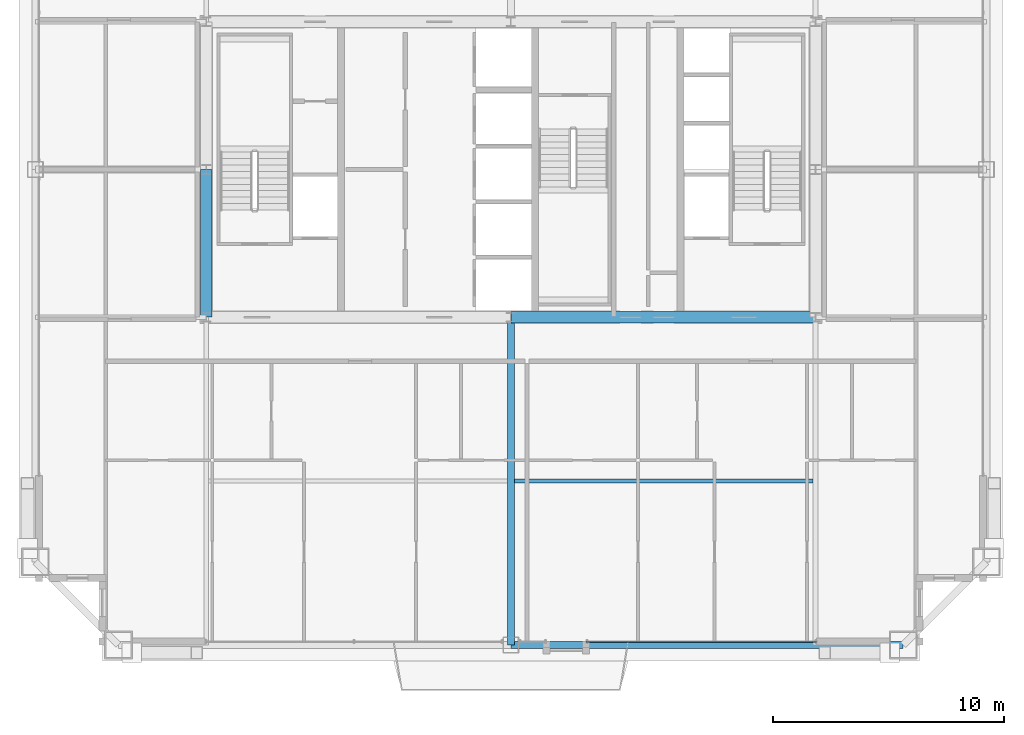
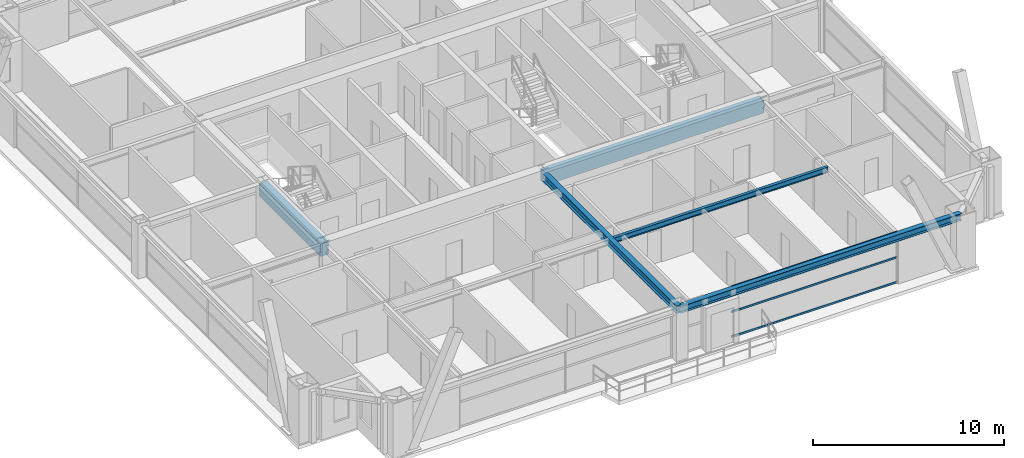
# One storey, part 11 of 35: 5 beams, 3 members, 1 element without a shape of its own.
"""IFC4 building model written with IfcOpenShell, lengths in metres."""

from ifc_helpers import new_model, si_unit, direction, frame, origin, origin_2d, place, context, subcontext, project, spatial, rectangle, hollow_rectangle, i_section, extrude, source, transform, mapped, material, layer, layer_set, material_profile, profile_set, type_object, element, aggregate, save


model = new_model("IFC4")

# Units and contexts
model_context = context("Model", 3, precision=1e-05, world=origin(), true_north=direction((0.0, 1.0)))
body_context = subcontext(model_context, "Body", "Model", "MODEL_VIEW")
ifc_project = project(units=[si_unit("LENGTHUNIT", "METRE"), si_unit("AREAUNIT", "SQUARE_METRE"), si_unit("VOLUMEUNIT", "CUBIC_METRE"), si_unit("PLANEANGLEUNIT", "RADIAN"), si_unit("MASSUNIT", "GRAM", prefix="KILO"), si_unit("THERMODYNAMICTEMPERATUREUNIT", "KELVIN"), si_unit("POWERUNIT", "WATT")], contexts=[model_context])

# Site, building, storey
site_placement = place(None, origin())
site = spatial("IfcSite", under=ifc_project, at=site_placement, CompositionType="ELEMENT")
building_placement = place(site_placement, origin())
building = spatial("IfcBuilding", under=site, at=building_placement, Name="Yuzanri Waterfront Tower", CompositionType="ELEMENT")
storey_placement = place(building_placement, frame((0.0, 0.0, 227.60009765625)))
storey = spatial("IfcBuildingStorey", under=building, at=storey_placement, Name="L60", CompositionType="ELEMENT", Elevation=227.60009765625)

# Beams
ifc_material_1 = material(Name="Concrete C50", Category="concrete")
ifc_material_profile_1 = material_profile(ifc_material_1, rectangle(XDim=0.5, YDim=0.800048828125, at=origin_2d()), Name="RC 500x800")
ifc_profile_set_1 = profile_set([ifc_material_profile_1], Name="Concrete C50")
beam_type_1 = type_object("IfcBeamType", Name="Core Coupling Lintel Concrete C50 500x800", PredefinedType="LINTEL", material=ifc_profile_set_1)
shared_shape_1 = source(origin(), body_context, "Body", "SweptSolid", [
    extrude(rectangle(XDim=0.5, YDim=0.800048828125, at=origin_2d()), origin(), (0.0, 0.0, 1.0), 13.199951171875),
])
beam_1_placement = place(storey_placement, frame((37.0, 19.39990234375, 2.8798828125), z_axis=(1.0, 0.0, 0.0), x_axis=(0.0, 1.0, 0.0)))
element("IfcBeam", 1, at=beam_1_placement, inside=storey, type_object=beam_type_1, Name="L60 Core Tie Beam CS2", PredefinedType="LINTEL", context=body_context, shape_type="MappedRepresentation", body=[
    mapped(shared_shape_1, transform((0.0, 0.0, 0.0), scale=1.0)),
])
shared_shape_2 = source(origin(), body_context, "Body", "SweptSolid", [
    extrude(rectangle(XDim=0.5, YDim=0.800048828125, at=origin_2d()), origin(), (0.0, 0.0, 1.0), 6.400146484375),
])
beam_2_placement = place(storey_placement, frame((23.800048828125, 19.39990234375, 2.8798828125), z_axis=(0.0, 1.0, 0.0), x_axis=(-1.0, 0.0, 0.0)))
element("IfcBeam", 2, at=beam_2_placement, inside=storey, type_object=beam_type_1, Name="L60 Core Tie Beam CW1", PredefinedType="LINTEL", context=body_context, shape_type="MappedRepresentation", body=[
    mapped(shared_shape_2, transform((0.0, 0.0, 0.0), scale=1.0)),
])
ifc_material_2 = material(Name="Steel Q355B", Category="steel")
ifc_material_profile_2 = material_profile(ifc_material_2, i_section(OverallWidth=0.300048828125, OverallDepth=0.43994140625, WebThickness=0.010986328125, FlangeThickness=0.01806640625, at=origin_2d()), Name="HM 440x300x11x18")
ifc_profile_set_2 = profile_set([ifc_material_profile_2], Name="Steel Q355B")
beam_type_2 = type_object("IfcBeamType", Name="Perimeter Spandrel Q355B HM 440x300", PredefinedType="SPANDREL", material=ifc_profile_set_2)
shared_shape_3 = source(origin(), body_context, "Body", "SweptSolid", [
    extrude(i_section(OverallWidth=0.300048828125, OverallDepth=0.43994140625, WebThickness=0.010986328125, FlangeThickness=0.01806640625, at=origin_2d()), origin(), (0.0, 0.0, 1.0), 17.0),
])
beam_3_placement = place(storey_placement, frame((37.0, 5.199951171875, 3.059814453125), z_axis=(1.0, 0.0, 0.0), x_axis=(0.0, 1.0, 0.0)))
element("IfcBeam", 3, at=beam_3_placement, inside=storey, type_object=beam_type_2, Name="L60 Perimeter Spandrel S2-S3", PredefinedType="SPANDREL", context=body_context, shape_type="MappedRepresentation", body=[
    mapped(shared_shape_3, transform((0.0, 0.0, 0.0), scale=1.0)),
])
ifc_material_3 = material(Name="Steel Q355B", Category="steel")
ifc_material_profile_3 = material_profile(ifc_material_3, i_section(OverallWidth=0.300048828125, OverallDepth=0.488037109375, WebThickness=0.010986328125, FlangeThickness=0.01806640625, at=origin_2d()), Name="HM 488x300x11x18")
ifc_profile_set_3 = profile_set([ifc_material_profile_3], Name="Steel Q355B")
beam_type_3 = type_object("IfcBeamType", Name="Primary Floor Girder Q355B HM 488x300", PredefinedType="BEAM", material=ifc_profile_set_3)
shared_shape_4 = source(origin(), body_context, "Body", "SweptSolid", [
    extrude(i_section(OverallWidth=0.300048828125, OverallDepth=0.488037109375, WebThickness=0.010986328125, FlangeThickness=0.01806640625, at=origin_2d()), origin(), (0.0, 0.0, 1.0), 14.199951171875),
])
beam_4_placement = place(storey_placement, frame((37.0, 19.39990234375, 3.035888671875), z_axis=(0.0, -1.0, 0.0), x_axis=(1.0, 0.0, 0.0)))
element("IfcBeam", 4, at=beam_4_placement, inside=storey, type_object=beam_type_3, Name="L60 South Grid Girder", PredefinedType="BEAM", context=body_context, shape_type="MappedRepresentation", body=[
    mapped(shared_shape_4, transform((0.0, 0.0, 0.0), scale=1.0)),
])
ifc_material_4 = material(Name="Steel Q355B", Category="steel")
ifc_material_profile_4 = material_profile(ifc_material_4, i_section(OverallWidth=0.175048828125, OverallDepth=0.35009765625, WebThickness=0.007080078125, FlangeThickness=0.010986328125, at=origin_2d()), Name="HN 350x175x7x11")
ifc_profile_set_4 = profile_set([ifc_material_profile_4], Name="Steel Q355B")
beam_type_4 = type_object("IfcBeamType", Name="Floor Joist Q355B HN 350x175", PredefinedType="JOIST", material=ifc_profile_set_4)
shared_shape_5 = source(origin(), body_context, "Body", "SweptSolid", [
    extrude(i_section(OverallWidth=0.175048828125, OverallDepth=0.35009765625, WebThickness=0.007080078125, FlangeThickness=0.010986328125, at=origin_2d()), origin(), (0.0, 0.0, 1.0), 12.9501953125),
])
beam_5_placement = place(storey_placement, frame((37.14990234375, 12.300048828125, 3.10498046875), z_axis=(1.0, 0.0, 0.0), x_axis=(0.0, 1.0, 0.0)))
element("IfcBeam", 5, at=beam_5_placement, inside=storey, type_object=beam_type_4, Name="L60 South Bay Joist E", PredefinedType="JOIST", context=body_context, shape_type="MappedRepresentation", body=[
    mapped(shared_shape_5, transform((0.0, 0.0, 0.0), scale=1.0)),
])

# Curtain wall, members
ifc_material_5 = material(Name="Anodized Architectural Bronze", Category="metal")
ifc_layer = layer(ifc_material_5, 0.159912109375)
ifc_layer_set = layer_set([ifc_layer], Name="Anodized Architectural Bronze")
curtain_wall_type = type_object("IfcCurtainWallType", Name="Anodized Bronze Mid-Rise Residential Acoustic Unitized Curtain Wall 7200", PredefinedType="NOTDEFINED", material=ifc_layer_set)
curtain_wall_placement = place(storey_placement, origin())
curtain_wall = element("IfcCurtainWall", 6, at=curtain_wall_placement, inside=storey, type_object=curtain_wall_type, Name="L60 Curtain Wall CW-L60-SR2", PredefinedType="NOTDEFINED")
ifc_material_6 = material(Name="Anodized Architectural Bronze", Category="metal")
ifc_material_profile_5 = material_profile(ifc_material_6, hollow_rectangle(XDim=0.06494140625, YDim=0.1201171875, WallThickness=0.00341796875, at=origin_2d()), Name="CWT 65x120")
ifc_profile_set_5 = profile_set([ifc_material_profile_5], Name="Anodized Architectural Bronze")
member_type = type_object("IfcMemberType", Name="Anodized Bronze Secondary Curtain-Wall Transom 65x120", PredefinedType="USERDEFINED", material=ifc_profile_set_5)
shared_shape_6 = source(origin(), body_context, "Body", "SweptSolid", [
    extrude(hollow_rectangle(XDim=0.06494140625, YDim=0.1201171875, WallThickness=0.00341796875, at=origin_2d()), origin(), (0.0, 0.0, 1.0), 10.0),
])
member_1_placement = place(storey_placement, frame((40.25, 5.35009765625, 0.0498046875), z_axis=(1.0, 0.0, 0.0), x_axis=(0.0, 1.0, 0.0)))
member_1 = element("IfcMember", 7, at=member_1_placement, type_object=member_type, Name="CW-L60-SR2 Transom 1", ObjectType="TRANSOM", PredefinedType="USERDEFINED", context=body_context, shape_type="MappedRepresentation", body=[
    mapped(shared_shape_6, transform((0.0, 0.0, 0.0), scale=1.0)),
])
member_2_placement = place(storey_placement, frame((40.25, 5.35009765625, 1.639892578125), z_axis=(1.0, 0.0, 0.0), x_axis=(0.0, 1.0, 0.0)))
member_2 = element("IfcMember", 8, at=member_2_placement, type_object=member_type, Name="CW-L60-SR2 Transom 2", ObjectType="TRANSOM", PredefinedType="USERDEFINED", context=body_context, shape_type="MappedRepresentation", body=[
    mapped(shared_shape_6, transform((0.0, 0.0, 0.0), scale=1.0)),
])
member_3_placement = place(storey_placement, frame((40.25, 5.35009765625, 3.22998046875), z_axis=(1.0, 0.0, 0.0), x_axis=(0.0, 1.0, 0.0)))
member_3 = element("IfcMember", 9, at=member_3_placement, type_object=member_type, Name="CW-L60-SR2 Transom 3", ObjectType="TRANSOM", PredefinedType="USERDEFINED", context=body_context, shape_type="MappedRepresentation", body=[
    mapped(shared_shape_6, transform((0.0, 0.0, 0.0), scale=1.0)),
])
aggregate(curtain_wall, [member_1, member_2, member_3])

save(model, "model.ifc")
